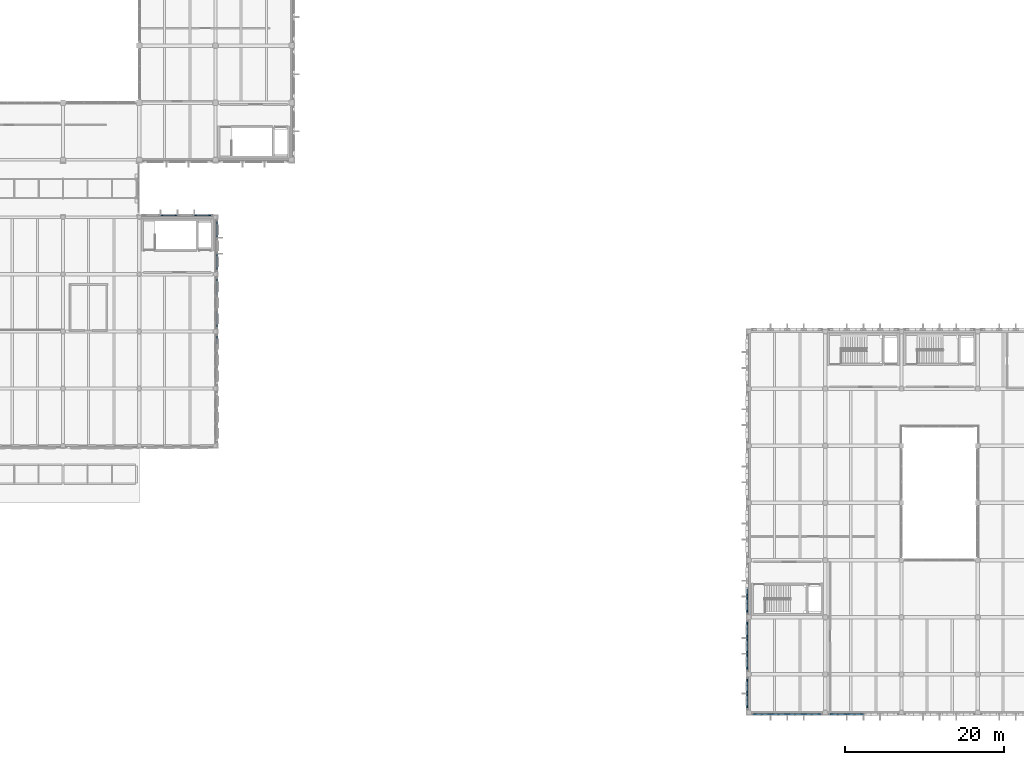
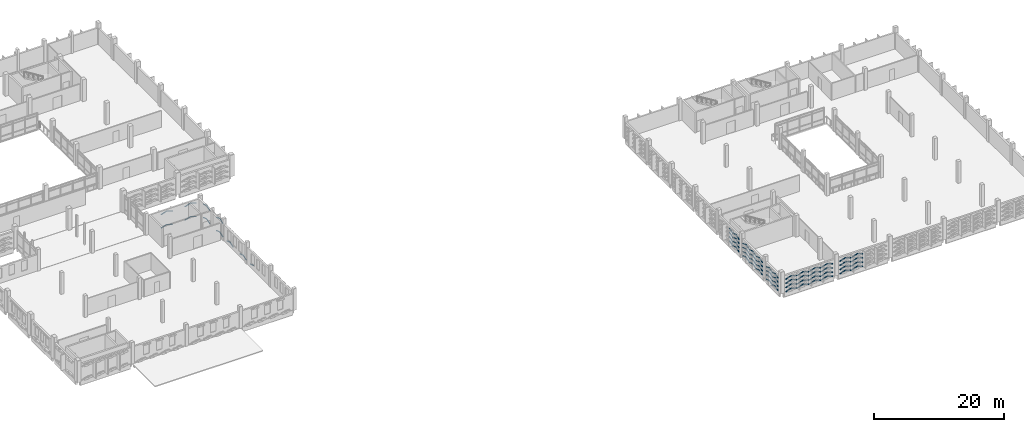
# One storey, part 35 of 72: 121 plates.
"""IFC4 building model written with IfcOpenShell, lengths in metres."""

from ifc_helpers import new_model, si_unit, direction, frame, origin, origin_2d, place, context, subcontext, project, spatial, hollow_rectangle, extrude, material, material_profile, profile_set, type_object, element, save


model = new_model("IFC4")

# Units and contexts
model_context = context("Model", 3, precision=1e-05, world=origin(), true_north=direction((0.0, 1.0)))
body_context = subcontext(model_context, "Body", "Model", "MODEL_VIEW")
ifc_project = project(units=[si_unit("LENGTHUNIT", "METRE"), si_unit("AREAUNIT", "SQUARE_METRE"), si_unit("VOLUMEUNIT", "CUBIC_METRE"), si_unit("PLANEANGLEUNIT", "RADIAN"), si_unit("MASSUNIT", "GRAM", prefix="KILO")], contexts=[model_context])

# Site, building, storey
site_placement = place(None, origin())
site = spatial("IfcSite", under=ifc_project, at=site_placement, CompositionType="ELEMENT")
building_placement = place(site_placement, origin())
building = spatial("IfcBuilding", under=site, at=building_placement, Name="Asteropetra Specialist Clinic", CompositionType="ELEMENT")
storey_placement = place(building_placement, frame((0.0, 0.0, 12.580078125)))
storey = spatial("IfcBuildingStorey", under=building, at=storey_placement, Name="L03", CompositionType="ELEMENT", Elevation=12.580078125)

# Plates
ifc_material_1 = material(Name="Chevron emerald aluminium 6063-T6", Category="aluminium")
ifc_material_profile_1 = material_profile(ifc_material_1, hollow_rectangle(XDim=0.139892578125, YDim=0.139892578125, WallThickness=0.008056640625, InnerFilletRadius=0.008056640625, OuterFilletRadius=0.01611328125, at=origin_2d()), Name="SHS 140x140x8.0")
ifc_profile_set_1 = profile_set([ifc_material_profile_1], Name="Chevron emerald aluminium 6063-T6")
plate_type_1 = type_object("IfcPlateType", Name="CHV-RIB-140", PredefinedType="SHEET", material=ifc_profile_set_1)
plate_1_placement = place(storey_placement, frame((37.81005859375, 62.6044921875, 0.079833984375), z_axis=(-0.952033222609, 0.0, 0.305994678137), x_axis=(0.0, -1.0, 0.0)))
element("IfcPlate", 1, at=plate_1_placement, inside=storey, type_object=plate_type_1, Name="Chevron Facade Screen Fin CVR-1938", PredefinedType="SHEET", context=body_context, shape_type="SweptSolid", body=[
    extrude(hollow_rectangle(XDim=0.139892578125, YDim=0.139892578125, WallThickness=0.008056640625, InnerFilletRadius=0.008056640625, OuterFilletRadius=0.01611328125, at=origin_2d()), origin(), (0.0, 0.0, 1.0), 1.08984375),
])
plate_2_placement = place(storey_placement, frame((36.7724609375, 62.6044921875, 0.413330078125), z_axis=(-0.952012241431, 0.0, -0.306059948646), x_axis=(0.0, -1.0, 0.0)))
element("IfcPlate", 2, at=plate_2_placement, inside=storey, type_object=plate_type_1, Name="Chevron Facade Screen Fin CVR-1939", PredefinedType="SHEET", context=body_context, shape_type="SweptSolid", body=[
    extrude(hollow_rectangle(XDim=0.139892578125, YDim=0.139892578125, WallThickness=0.008056640625, InnerFilletRadius=0.008056640625, OuterFilletRadius=0.01611328125, at=origin_2d()), origin(), (0.0, 0.0, 1.0), 1.089599609375),
])
plate_3_placement = place(storey_placement, frame((37.81005859375, 62.6044921875, 2.599853515625), z_axis=(-0.952033222609, 0.0, 0.305994678137), x_axis=(0.0, -1.0, 0.0)))
element("IfcPlate", 3, at=plate_3_placement, inside=storey, type_object=plate_type_1, Name="Chevron Facade Screen Fin CVR-1940", PredefinedType="SHEET", context=body_context, shape_type="SweptSolid", body=[
    extrude(hollow_rectangle(XDim=0.139892578125, YDim=0.139892578125, WallThickness=0.008056640625, InnerFilletRadius=0.008056640625, OuterFilletRadius=0.01611328125, at=origin_2d()), origin(), (0.0, 0.0, 1.0), 1.08984375),
])
plate_4_placement = place(storey_placement, frame((36.7724609375, 62.6044921875, 2.933349609375), z_axis=(-0.952012241431, 0.0, -0.306059948646), x_axis=(0.0, -1.0, 0.0)))
element("IfcPlate", 4, at=plate_4_placement, inside=storey, type_object=plate_type_1, Name="Chevron Facade Screen Fin CVR-1941", PredefinedType="SHEET", context=body_context, shape_type="SweptSolid", body=[
    extrude(hollow_rectangle(XDim=0.139892578125, YDim=0.139892578125, WallThickness=0.008056640625, InnerFilletRadius=0.008056640625, OuterFilletRadius=0.01611328125, at=origin_2d()), origin(), (0.0, 0.0, 1.0), 1.089599609375),
])
for number, where, z_axis, x_axis, name in (
    (5, (33.580078125, 62.6044921875, 0.079833984375), (-0.952033222609, 0.0, 0.305994678137), (0.0, -1.0, 0.0), "Chevron Facade Screen Fin CVR-1942"),
    (6, (32.54248046875, 62.6044921875, 0.413330078125), (-0.952033222609, 0.0, -0.305994678137), (0.0, -1.0, 0.0), "Chevron Facade Screen Fin CVR-1943"),
    (7, (33.580078125, 62.6044921875, 2.599853515625), (-0.952033222609, 0.0, 0.305994678137), (0.0, -1.0, 0.0), "Chevron Facade Screen Fin CVR-1944"),
    (8, (32.54248046875, 62.6044921875, 2.933349609375), (-0.952033222609, 0.0, -0.305994678137), (0.0, -1.0, 0.0), "Chevron Facade Screen Fin CVR-1945"),
):
    element("IfcPlate", number, at=place(storey_placement, frame(where, z_axis=z_axis, x_axis=x_axis)), inside=storey, type_object=plate_type_1, Name=name, PredefinedType="SHEET", context=body_context, shape_type="SweptSolid", body=[
        extrude(hollow_rectangle(XDim=0.139892578125, YDim=0.139892578125, WallThickness=0.008056640625, InnerFilletRadius=0.008056640625, OuterFilletRadius=0.01611328125, at=origin_2d()), origin(), (0.0, 0.0, 1.0), 1.08984375),
    ])
for number, where, z_axis, x_axis, name in (
    (9, (38.6044921875, 46.419921875, 0.3984375), (0.0, 0.951918587177, -0.306351111286), (-1.0, 0.0, 0.0), "Chevron Facade Screen Fin CVR-1959"),
    (10, (38.6044921875, 48.590087890625, 0.079833984375), (0.0, 0.951918587177, 0.306351111286), (-1.0, 0.0, 0.0), "Chevron Facade Screen Fin CVR-1962"),
    (11, (38.6044921875, 49.580078125, 0.3984375), (0.0, 0.951918587177, -0.306351111286), (-1.0, 0.0, 0.0), "Chevron Facade Screen Fin CVR-1963"),
):
    element("IfcPlate", number, at=place(storey_placement, frame(where, z_axis=z_axis, x_axis=x_axis)), inside=storey, type_object=plate_type_1, Name=name, PredefinedType="SHEET", context=body_context, shape_type="SweptSolid", body=[
        extrude(hollow_rectangle(XDim=0.139892578125, YDim=0.139892578125, WallThickness=0.008056640625, InnerFilletRadius=0.008056640625, OuterFilletRadius=0.01611328125, at=origin_2d()), origin(), (0.0, 0.0, 1.0), 1.0400390625),
    ])
plate_5_placement = place(storey_placement, frame((38.6044921875, 52.6298828125, 0.079833984375), z_axis=(0.0, 0.951940611487, 0.306282667158), x_axis=(-1.0, 0.0, 0.0)))
element("IfcPlate", 12, at=plate_5_placement, inside=storey, type_object=plate_type_1, Name="Chevron Facade Screen Fin CVR-1964", PredefinedType="SHEET", context=body_context, shape_type="SweptSolid", body=[
    extrude(hollow_rectangle(XDim=0.139892578125, YDim=0.139892578125, WallThickness=0.008056640625, InnerFilletRadius=0.008056640625, OuterFilletRadius=0.01611328125, at=origin_2d()), origin(), (0.0, 0.0, 1.0), 1.040283203125),
])
for number, where, z_axis, x_axis, name in (
    (13, (38.6044921875, 53.6201171875, 0.3984375), (0.0, 0.951918587177, -0.306351111286), (-1.0, 0.0, 0.0), "Chevron Facade Screen Fin CVR-1965"),
    (14, (38.6044921875, 55.7900390625, 0.079833984375), (0.0, 0.951918587177, 0.306351111286), (-1.0, 0.0, 0.0), "Chevron Facade Screen Fin CVR-1968"),
    (15, (38.6044921875, 56.780029296875, 0.3984375), (0.0, 0.951918587177, -0.306351111286), (-1.0, 0.0, 0.0), "Chevron Facade Screen Fin CVR-1969"),
    (16, (38.6044921875, 55.7900390625, 2.599853515625), (0.0, 0.951918587177, 0.306351111286), (-1.0, 0.0, 0.0), "Chevron Facade Screen Fin CVR-1970"),
    (17, (38.6044921875, 56.780029296875, 2.91845703125), (0.0, 0.951918587177, -0.306351111286), (-1.0, 0.0, 0.0), "Chevron Facade Screen Fin CVR-1971"),
    (18, (38.6044921875, 59.830078125, 0.079833984375), (0.0, 0.951918587177, 0.306351111286), (-1.0, 0.0, 0.0), "Chevron Facade Screen Fin CVR-1972"),
    (19, (38.6044921875, 60.820068359375, 0.3984375), (0.0, 0.951918587177, -0.306351111286), (-1.0, 0.0, 0.0), "Chevron Facade Screen Fin CVR-1973"),
    (20, (38.6044921875, 59.830078125, 2.599853515625), (0.0, 0.951918587177, 0.306351111286), (-1.0, 0.0, 0.0), "Chevron Facade Screen Fin CVR-1974"),
    (21, (38.6044921875, 60.820068359375, 2.91845703125), (0.0, 0.951918587177, -0.306351111286), (-1.0, 0.0, 0.0), "Chevron Facade Screen Fin CVR-1975"),
):
    element("IfcPlate", number, at=place(storey_placement, frame(where, z_axis=z_axis, x_axis=x_axis)), inside=storey, type_object=plate_type_1, Name=name, PredefinedType="SHEET", context=body_context, shape_type="SweptSolid", body=[
        extrude(hollow_rectangle(XDim=0.139892578125, YDim=0.139892578125, WallThickness=0.008056640625, InnerFilletRadius=0.008056640625, OuterFilletRadius=0.01611328125, at=origin_2d()), origin(), (0.0, 0.0, 1.0), 1.0400390625),
    ])
ifc_material_2 = material(Name="Chevron emerald aluminium 6063-T6", Category="aluminium")
ifc_material_profile_2 = material_profile(ifc_material_2, hollow_rectangle(XDim=0.159912109375, YDim=0.159912109375, WallThickness=0.008056640625, InnerFilletRadius=0.008056640625, OuterFilletRadius=0.01611328125, at=origin_2d()), Name="SHS 160x160x8.0")
ifc_profile_set_2 = profile_set([ifc_material_profile_2], Name="Chevron emerald aluminium 6063-T6")
plate_type_2 = type_object("IfcPlateType", Name="CHV-RIB-160", PredefinedType="SHEET", material=ifc_profile_set_2)
for number, where, z_axis, x_axis, name in (
    (22, (106.215087890625, -0.219482421875, 0.0498046875), (0.95200979945, 0.0, 0.306067544426), (0.0, 1.0, 0.0), "Chevron Facade Screen Fin CVR-2894"),
    (23, (107.246337890625, -0.219482421875, 0.38134765625), (0.95200979945, 0.0, -0.306067544426), (0.0, 1.0, 0.0), "Chevron Facade Screen Fin CVR-2895"),
    (24, (106.215087890625, -0.219482421875, 0.81982421875), (0.95200979945, 0.0, 0.306067544426), (0.0, 1.0, 0.0), "Chevron Facade Screen Fin CVR-2896"),
    (25, (107.246337890625, -0.219482421875, 1.1513671875), (0.95200979945, 0.0, -0.306067544426), (0.0, 1.0, 0.0), "Chevron Facade Screen Fin CVR-2897"),
    (26, (106.215087890625, -0.219482421875, 1.619873046875), (0.95200979945, 0.0, 0.306067544426), (0.0, 1.0, 0.0), "Chevron Facade Screen Fin CVR-2898"),
    (27, (107.246337890625, -0.219482421875, 1.951416015625), (0.95200979945, 0.0, -0.306067544426), (0.0, 1.0, 0.0), "Chevron Facade Screen Fin CVR-2899"),
    (28, (106.215087890625, -0.219482421875, 2.39990234375), (0.95200979945, 0.0, 0.306067544426), (0.0, 1.0, 0.0), "Chevron Facade Screen Fin CVR-2900"),
    (29, (107.246337890625, -0.219482421875, 2.7314453125), (0.95200979945, 0.0, -0.306067544426), (0.0, 1.0, 0.0), "Chevron Facade Screen Fin CVR-2901"),
    (30, (108.3173828125, -0.219482421875, 0.0498046875), (0.95200979945, 0.0, 0.306067544426), (0.0, 1.0, 0.0), "Chevron Facade Screen Fin CVR-2902"),
    (31, (109.3486328125, -0.219482421875, 0.38134765625), (0.95200979945, 0.0, -0.306067544426), (0.0, 1.0, 0.0), "Chevron Facade Screen Fin CVR-2903"),
    (32, (108.3173828125, -0.219482421875, 0.81982421875), (0.95200979945, 0.0, 0.306067544426), (0.0, 1.0, 0.0), "Chevron Facade Screen Fin CVR-2904"),
    (33, (109.3486328125, -0.219482421875, 1.1513671875), (0.95200979945, 0.0, -0.306067544426), (0.0, 1.0, 0.0), "Chevron Facade Screen Fin CVR-2905"),
    (34, (108.3173828125, -0.219482421875, 1.619873046875), (0.95200979945, 0.0, 0.306067544426), (0.0, 1.0, 0.0), "Chevron Facade Screen Fin CVR-2906"),
    (35, (109.3486328125, -0.219482421875, 1.951416015625), (0.95200979945, 0.0, -0.306067544426), (0.0, 1.0, 0.0), "Chevron Facade Screen Fin CVR-2907"),
    (36, (108.3173828125, -0.219482421875, 2.39990234375), (0.95200979945, 0.0, 0.306067544426), (0.0, 1.0, 0.0), "Chevron Facade Screen Fin CVR-2908"),
    (37, (109.3486328125, -0.219482421875, 2.7314453125), (0.95200979945, 0.0, -0.306067544426), (0.0, 1.0, 0.0), "Chevron Facade Screen Fin CVR-2909"),
):
    element("IfcPlate", number, at=place(storey_placement, frame(where, z_axis=z_axis, x_axis=x_axis)), inside=storey, type_object=plate_type_2, Name=name, PredefinedType="SHEET", context=body_context, shape_type="SweptSolid", body=[
        extrude(hollow_rectangle(XDim=0.159912109375, YDim=0.159912109375, WallThickness=0.008056640625, InnerFilletRadius=0.008056640625, OuterFilletRadius=0.01611328125, at=origin_2d()), origin(), (0.0, 0.0, 1.0), 1.083251953125),
    ])
plate_6_placement = place(storey_placement, frame((110.419921875, -0.219482421875, 0.0498046875), z_axis=(0.95203090576, 0.0, 0.306001886396), x_axis=(0.0, 1.0, 0.0)))
element("IfcPlate", 38, at=plate_6_placement, inside=storey, type_object=plate_type_2, Name="Chevron Facade Screen Fin CVR-2910", PredefinedType="SHEET", context=body_context, shape_type="SweptSolid", body=[
    extrude(hollow_rectangle(XDim=0.159912109375, YDim=0.159912109375, WallThickness=0.008056640625, InnerFilletRadius=0.008056640625, OuterFilletRadius=0.01611328125, at=origin_2d()), origin(), (0.0, 0.0, 1.0), 1.08349609375),
])
plate_7_placement = place(storey_placement, frame((111.451416015625, -0.219482421875, 0.38134765625), z_axis=(0.95198867955, 0.0, -0.30613322918), x_axis=(0.0, 1.0, 0.0)))
element("IfcPlate", 39, at=plate_7_placement, inside=storey, type_object=plate_type_2, Name="Chevron Facade Screen Fin CVR-2911", PredefinedType="SHEET", context=body_context, shape_type="SweptSolid", body=[
    extrude(hollow_rectangle(XDim=0.159912109375, YDim=0.159912109375, WallThickness=0.008056640625, InnerFilletRadius=0.008056640625, OuterFilletRadius=0.01611328125, at=origin_2d()), origin(), (0.0, 0.0, 1.0), 1.0830078125),
])
plate_8_placement = place(storey_placement, frame((110.419921875, -0.219482421875, 0.81982421875), z_axis=(0.95203090576, 0.0, 0.306001886396), x_axis=(0.0, 1.0, 0.0)))
element("IfcPlate", 40, at=plate_8_placement, inside=storey, type_object=plate_type_2, Name="Chevron Facade Screen Fin CVR-2912", PredefinedType="SHEET", context=body_context, shape_type="SweptSolid", body=[
    extrude(hollow_rectangle(XDim=0.159912109375, YDim=0.159912109375, WallThickness=0.008056640625, InnerFilletRadius=0.008056640625, OuterFilletRadius=0.01611328125, at=origin_2d()), origin(), (0.0, 0.0, 1.0), 1.08349609375),
])
plate_9_placement = place(storey_placement, frame((111.451416015625, -0.219482421875, 1.1513671875), z_axis=(0.95198867955, 0.0, -0.30613322918), x_axis=(0.0, 1.0, 0.0)))
element("IfcPlate", 41, at=plate_9_placement, inside=storey, type_object=plate_type_2, Name="Chevron Facade Screen Fin CVR-2913", PredefinedType="SHEET", context=body_context, shape_type="SweptSolid", body=[
    extrude(hollow_rectangle(XDim=0.159912109375, YDim=0.159912109375, WallThickness=0.008056640625, InnerFilletRadius=0.008056640625, OuterFilletRadius=0.01611328125, at=origin_2d()), origin(), (0.0, 0.0, 1.0), 1.0830078125),
])
plate_10_placement = place(storey_placement, frame((110.419921875, -0.219482421875, 1.619873046875), z_axis=(0.95203090576, 0.0, 0.306001886396), x_axis=(0.0, 1.0, 0.0)))
element("IfcPlate", 42, at=plate_10_placement, inside=storey, type_object=plate_type_2, Name="Chevron Facade Screen Fin CVR-2914", PredefinedType="SHEET", context=body_context, shape_type="SweptSolid", body=[
    extrude(hollow_rectangle(XDim=0.159912109375, YDim=0.159912109375, WallThickness=0.008056640625, InnerFilletRadius=0.008056640625, OuterFilletRadius=0.01611328125, at=origin_2d()), origin(), (0.0, 0.0, 1.0), 1.08349609375),
])
plate_11_placement = place(storey_placement, frame((111.451416015625, -0.219482421875, 1.951416015625), z_axis=(0.95198867955, 0.0, -0.30613322918), x_axis=(0.0, 1.0, 0.0)))
element("IfcPlate", 43, at=plate_11_placement, inside=storey, type_object=plate_type_2, Name="Chevron Facade Screen Fin CVR-2915", PredefinedType="SHEET", context=body_context, shape_type="SweptSolid", body=[
    extrude(hollow_rectangle(XDim=0.159912109375, YDim=0.159912109375, WallThickness=0.008056640625, InnerFilletRadius=0.008056640625, OuterFilletRadius=0.01611328125, at=origin_2d()), origin(), (0.0, 0.0, 1.0), 1.0830078125),
])
plate_12_placement = place(storey_placement, frame((110.419921875, -0.219482421875, 2.39990234375), z_axis=(0.95203090576, 0.0, 0.306001886396), x_axis=(0.0, 1.0, 0.0)))
element("IfcPlate", 44, at=plate_12_placement, inside=storey, type_object=plate_type_2, Name="Chevron Facade Screen Fin CVR-2916", PredefinedType="SHEET", context=body_context, shape_type="SweptSolid", body=[
    extrude(hollow_rectangle(XDim=0.159912109375, YDim=0.159912109375, WallThickness=0.008056640625, InnerFilletRadius=0.008056640625, OuterFilletRadius=0.01611328125, at=origin_2d()), origin(), (0.0, 0.0, 1.0), 1.08349609375),
])
plate_13_placement = place(storey_placement, frame((111.451416015625, -0.219482421875, 2.7314453125), z_axis=(0.95198867955, 0.0, -0.30613322918), x_axis=(0.0, 1.0, 0.0)))
element("IfcPlate", 45, at=plate_13_placement, inside=storey, type_object=plate_type_2, Name="Chevron Facade Screen Fin CVR-2917", PredefinedType="SHEET", context=body_context, shape_type="SweptSolid", body=[
    extrude(hollow_rectangle(XDim=0.159912109375, YDim=0.159912109375, WallThickness=0.008056640625, InnerFilletRadius=0.008056640625, OuterFilletRadius=0.01611328125, at=origin_2d()), origin(), (0.0, 0.0, 1.0), 1.0830078125),
])
for number, where, z_axis, x_axis, name in (
    (46, (112.5224609375, -0.219482421875, 0.0498046875), (0.95200979945, 0.0, 0.306067544426), (0.0, 1.0, 0.0), "Chevron Facade Screen Fin CVR-2918"),
    (47, (113.5537109375, -0.219482421875, 0.38134765625), (0.95200979945, 0.0, -0.306067544426), (0.0, 1.0, 0.0), "Chevron Facade Screen Fin CVR-2919"),
    (48, (112.5224609375, -0.219482421875, 0.81982421875), (0.95200979945, 0.0, 0.306067544426), (0.0, 1.0, 0.0), "Chevron Facade Screen Fin CVR-2920"),
    (49, (113.5537109375, -0.219482421875, 1.1513671875), (0.95200979945, 0.0, -0.306067544426), (0.0, 1.0, 0.0), "Chevron Facade Screen Fin CVR-2921"),
    (50, (112.5224609375, -0.219482421875, 1.619873046875), (0.95200979945, 0.0, 0.306067544426), (0.0, 1.0, 0.0), "Chevron Facade Screen Fin CVR-2922"),
    (51, (113.5537109375, -0.219482421875, 1.951416015625), (0.95200979945, 0.0, -0.306067544426), (0.0, 1.0, 0.0), "Chevron Facade Screen Fin CVR-2923"),
    (52, (112.5224609375, -0.219482421875, 2.39990234375), (0.95200979945, 0.0, 0.306067544426), (0.0, 1.0, 0.0), "Chevron Facade Screen Fin CVR-2924"),
    (53, (113.5537109375, -0.219482421875, 2.7314453125), (0.95200979945, 0.0, -0.306067544426), (0.0, 1.0, 0.0), "Chevron Facade Screen Fin CVR-2925"),
    (54, (115.81494140625, -0.219482421875, 0.0498046875), (0.95200979945, 0.0, 0.306067544426), (0.0, 1.0, 0.0), "Chevron Facade Screen Fin CVR-2958"),
    (55, (116.84619140625, -0.219482421875, 0.38134765625), (0.95200979945, 0.0, -0.306067544426), (0.0, 1.0, 0.0), "Chevron Facade Screen Fin CVR-2959"),
    (56, (115.81494140625, -0.219482421875, 0.81982421875), (0.95200979945, 0.0, 0.306067544426), (0.0, 1.0, 0.0), "Chevron Facade Screen Fin CVR-2960"),
    (57, (116.84619140625, -0.219482421875, 1.1513671875), (0.95200979945, 0.0, -0.306067544426), (0.0, 1.0, 0.0), "Chevron Facade Screen Fin CVR-2961"),
    (58, (115.81494140625, -0.219482421875, 1.619873046875), (0.95200979945, 0.0, 0.306067544426), (0.0, 1.0, 0.0), "Chevron Facade Screen Fin CVR-2962"),
    (59, (116.84619140625, -0.219482421875, 1.951416015625), (0.95200979945, 0.0, -0.306067544426), (0.0, 1.0, 0.0), "Chevron Facade Screen Fin CVR-2963"),
    (60, (115.81494140625, -0.219482421875, 2.39990234375), (0.95200979945, 0.0, 0.306067544426), (0.0, 1.0, 0.0), "Chevron Facade Screen Fin CVR-2964"),
    (61, (116.84619140625, -0.219482421875, 2.7314453125), (0.95200979945, 0.0, -0.306067544426), (0.0, 1.0, 0.0), "Chevron Facade Screen Fin CVR-2965"),
    (62, (117.91748046875, -0.219482421875, 0.0498046875), (0.95200979945, 0.0, 0.306067544426), (0.0, 1.0, 0.0), "Chevron Facade Screen Fin CVR-2966"),
    (63, (118.94873046875, -0.219482421875, 0.38134765625), (0.95200979945, 0.0, -0.306067544426), (0.0, 1.0, 0.0), "Chevron Facade Screen Fin CVR-2967"),
    (64, (117.91748046875, -0.219482421875, 0.81982421875), (0.95200979945, 0.0, 0.306067544426), (0.0, 1.0, 0.0), "Chevron Facade Screen Fin CVR-2968"),
    (65, (118.94873046875, -0.219482421875, 1.1513671875), (0.95200979945, 0.0, -0.306067544426), (0.0, 1.0, 0.0), "Chevron Facade Screen Fin CVR-2969"),
    (66, (117.91748046875, -0.219482421875, 1.619873046875), (0.95200979945, 0.0, 0.306067544426), (0.0, 1.0, 0.0), "Chevron Facade Screen Fin CVR-2970"),
    (67, (118.94873046875, -0.219482421875, 1.951416015625), (0.95200979945, 0.0, -0.306067544426), (0.0, 1.0, 0.0), "Chevron Facade Screen Fin CVR-2971"),
    (68, (117.91748046875, -0.219482421875, 2.39990234375), (0.95200979945, 0.0, 0.306067544426), (0.0, 1.0, 0.0), "Chevron Facade Screen Fin CVR-2972"),
    (69, (118.94873046875, -0.219482421875, 2.7314453125), (0.95200979945, 0.0, -0.306067544426), (0.0, 1.0, 0.0), "Chevron Facade Screen Fin CVR-2973"),
):
    element("IfcPlate", number, at=place(storey_placement, frame(where, z_axis=z_axis, x_axis=x_axis)), inside=storey, type_object=plate_type_2, Name=name, PredefinedType="SHEET", context=body_context, shape_type="SweptSolid", body=[
        extrude(hollow_rectangle(XDim=0.159912109375, YDim=0.159912109375, WallThickness=0.008056640625, InnerFilletRadius=0.008056640625, OuterFilletRadius=0.01611328125, at=origin_2d()), origin(), (0.0, 0.0, 1.0), 1.083251953125),
    ])
for number, where, z_axis, x_axis, name in (
    (70, (105.380615234375, 4.18505859375, 0.0498046875), (0.0, -0.95171854259, 0.306972011248), (1.0, 0.0, 0.0), "Chevron Facade Screen Fin CVR-3214"),
    (71, (105.380615234375, 3.302490234375, 0.33447265625), (0.0, -0.95171854259, -0.306972011248), (1.0, 0.0, 0.0), "Chevron Facade Screen Fin CVR-3215"),
    (72, (105.380615234375, 4.18505859375, 0.81982421875), (0.0, -0.95171854259, 0.306972011248), (1.0, 0.0, 0.0), "Chevron Facade Screen Fin CVR-3216"),
    (73, (105.380615234375, 3.302490234375, 1.1044921875), (0.0, -0.95171854259, -0.306972011248), (1.0, 0.0, 0.0), "Chevron Facade Screen Fin CVR-3217"),
    (74, (105.380615234375, 4.18505859375, 1.619873046875), (0.0, -0.95171854259, 0.306972011248), (1.0, 0.0, 0.0), "Chevron Facade Screen Fin CVR-3218"),
    (75, (105.380615234375, 3.302490234375, 1.904541015625), (0.0, -0.95171854259, -0.306972011248), (1.0, 0.0, 0.0), "Chevron Facade Screen Fin CVR-3219"),
    (76, (105.380615234375, 4.18505859375, 2.39990234375), (0.0, -0.95171854259, 0.306972011248), (1.0, 0.0, 0.0), "Chevron Facade Screen Fin CVR-3220"),
    (77, (105.380615234375, 3.302490234375, 2.6845703125), (0.0, -0.95171854259, -0.306972011248), (1.0, 0.0, 0.0), "Chevron Facade Screen Fin CVR-3221"),
):
    element("IfcPlate", number, at=place(storey_placement, frame(where, z_axis=z_axis, x_axis=x_axis)), inside=storey, type_object=plate_type_2, Name=name, PredefinedType="SHEET", context=body_context, shape_type="SweptSolid", body=[
        extrude(hollow_rectangle(XDim=0.159912109375, YDim=0.159912109375, WallThickness=0.008056640625, InnerFilletRadius=0.008056640625, OuterFilletRadius=0.01611328125, at=origin_2d()), origin(), (0.0, 0.0, 1.0), 0.92724609375),
    ])
plate_14_placement = place(storey_placement, frame((105.380615234375, 2.3798828125, 0.0498046875), z_axis=(0.0, -0.951693724919, 0.3070489439), x_axis=(1.0, 0.0, 0.0)))
element("IfcPlate", 78, at=plate_14_placement, inside=storey, type_object=plate_type_2, Name="Chevron Facade Screen Fin CVR-3222", PredefinedType="SHEET", context=body_context, shape_type="SweptSolid", body=[
    extrude(hollow_rectangle(XDim=0.159912109375, YDim=0.159912109375, WallThickness=0.008056640625, InnerFilletRadius=0.008056640625, OuterFilletRadius=0.01611328125, at=origin_2d()), origin(), (0.0, 0.0, 1.0), 0.927001953125),
])
plate_15_placement = place(storey_placement, frame((105.380615234375, 1.49755859375, 0.33447265625), z_axis=(0.0, -0.95171854259, -0.306972011248), x_axis=(1.0, 0.0, 0.0)))
element("IfcPlate", 79, at=plate_15_placement, inside=storey, type_object=plate_type_2, Name="Chevron Facade Screen Fin CVR-3223", PredefinedType="SHEET", context=body_context, shape_type="SweptSolid", body=[
    extrude(hollow_rectangle(XDim=0.159912109375, YDim=0.159912109375, WallThickness=0.008056640625, InnerFilletRadius=0.008056640625, OuterFilletRadius=0.01611328125, at=origin_2d()), origin(), (0.0, 0.0, 1.0), 0.92724609375),
])
plate_16_placement = place(storey_placement, frame((105.380615234375, 2.3798828125, 0.81982421875), z_axis=(0.0, -0.951693724919, 0.3070489439), x_axis=(1.0, 0.0, 0.0)))
element("IfcPlate", 80, at=plate_16_placement, inside=storey, type_object=plate_type_2, Name="Chevron Facade Screen Fin CVR-3224", PredefinedType="SHEET", context=body_context, shape_type="SweptSolid", body=[
    extrude(hollow_rectangle(XDim=0.159912109375, YDim=0.159912109375, WallThickness=0.008056640625, InnerFilletRadius=0.008056640625, OuterFilletRadius=0.01611328125, at=origin_2d()), origin(), (0.0, 0.0, 1.0), 0.927001953125),
])
plate_17_placement = place(storey_placement, frame((105.380615234375, 1.49755859375, 1.1044921875), z_axis=(0.0, -0.95171854259, -0.306972011248), x_axis=(1.0, 0.0, 0.0)))
element("IfcPlate", 81, at=plate_17_placement, inside=storey, type_object=plate_type_2, Name="Chevron Facade Screen Fin CVR-3225", PredefinedType="SHEET", context=body_context, shape_type="SweptSolid", body=[
    extrude(hollow_rectangle(XDim=0.159912109375, YDim=0.159912109375, WallThickness=0.008056640625, InnerFilletRadius=0.008056640625, OuterFilletRadius=0.01611328125, at=origin_2d()), origin(), (0.0, 0.0, 1.0), 0.92724609375),
])
plate_18_placement = place(storey_placement, frame((105.380615234375, 2.3798828125, 1.619873046875), z_axis=(0.0, -0.951693724919, 0.3070489439), x_axis=(1.0, 0.0, 0.0)))
element("IfcPlate", 82, at=plate_18_placement, inside=storey, type_object=plate_type_2, Name="Chevron Facade Screen Fin CVR-3226", PredefinedType="SHEET", context=body_context, shape_type="SweptSolid", body=[
    extrude(hollow_rectangle(XDim=0.159912109375, YDim=0.159912109375, WallThickness=0.008056640625, InnerFilletRadius=0.008056640625, OuterFilletRadius=0.01611328125, at=origin_2d()), origin(), (0.0, 0.0, 1.0), 0.927001953125),
])
plate_19_placement = place(storey_placement, frame((105.380615234375, 1.49755859375, 1.904541015625), z_axis=(0.0, -0.95171854259, -0.306972011248), x_axis=(1.0, 0.0, 0.0)))
element("IfcPlate", 83, at=plate_19_placement, inside=storey, type_object=plate_type_2, Name="Chevron Facade Screen Fin CVR-3227", PredefinedType="SHEET", context=body_context, shape_type="SweptSolid", body=[
    extrude(hollow_rectangle(XDim=0.159912109375, YDim=0.159912109375, WallThickness=0.008056640625, InnerFilletRadius=0.008056640625, OuterFilletRadius=0.01611328125, at=origin_2d()), origin(), (0.0, 0.0, 1.0), 0.92724609375),
])
plate_20_placement = place(storey_placement, frame((105.380615234375, 2.3798828125, 2.39990234375), z_axis=(0.0, -0.951693724919, 0.3070489439), x_axis=(1.0, 0.0, 0.0)))
element("IfcPlate", 84, at=plate_20_placement, inside=storey, type_object=plate_type_2, Name="Chevron Facade Screen Fin CVR-3228", PredefinedType="SHEET", context=body_context, shape_type="SweptSolid", body=[
    extrude(hollow_rectangle(XDim=0.159912109375, YDim=0.159912109375, WallThickness=0.008056640625, InnerFilletRadius=0.008056640625, OuterFilletRadius=0.01611328125, at=origin_2d()), origin(), (0.0, 0.0, 1.0), 0.927001953125),
])
plate_21_placement = place(storey_placement, frame((105.380615234375, 1.49755859375, 2.6845703125), z_axis=(0.0, -0.95171854259, -0.306972011248), x_axis=(1.0, 0.0, 0.0)))
element("IfcPlate", 85, at=plate_21_placement, inside=storey, type_object=plate_type_2, Name="Chevron Facade Screen Fin CVR-3229", PredefinedType="SHEET", context=body_context, shape_type="SweptSolid", body=[
    extrude(hollow_rectangle(XDim=0.159912109375, YDim=0.159912109375, WallThickness=0.008056640625, InnerFilletRadius=0.008056640625, OuterFilletRadius=0.01611328125, at=origin_2d()), origin(), (0.0, 0.0, 1.0), 0.92724609375),
])
for number, where, z_axis, x_axis, name in (
    (86, (105.380615234375, 11.385009765625, 0.0498046875), (0.0, -0.951922588053, 0.306338679169), (1.0, 0.0, 0.0), "Chevron Facade Screen Fin CVR-3246"),
    (87, (105.380615234375, 10.4033203125, 0.36572265625), (0.0, -0.951922588053, -0.306338679169), (1.0, 0.0, 0.0), "Chevron Facade Screen Fin CVR-3247"),
    (88, (105.380615234375, 11.385009765625, 0.81982421875), (0.0, -0.951922588053, 0.306338679169), (1.0, 0.0, 0.0), "Chevron Facade Screen Fin CVR-3248"),
    (89, (105.380615234375, 10.4033203125, 1.1357421875), (0.0, -0.951922588053, -0.306338679169), (1.0, 0.0, 0.0), "Chevron Facade Screen Fin CVR-3249"),
    (90, (105.380615234375, 11.385009765625, 1.619873046875), (0.0, -0.951922588053, 0.306338679169), (1.0, 0.0, 0.0), "Chevron Facade Screen Fin CVR-3250"),
    (91, (105.380615234375, 10.4033203125, 1.935791015625), (0.0, -0.951922588053, -0.306338679169), (1.0, 0.0, 0.0), "Chevron Facade Screen Fin CVR-3251"),
    (92, (105.380615234375, 11.385009765625, 2.39990234375), (0.0, -0.951922588053, 0.306338679169), (1.0, 0.0, 0.0), "Chevron Facade Screen Fin CVR-3252"),
    (93, (105.380615234375, 10.4033203125, 2.7158203125), (0.0, -0.951922588053, -0.306338679169), (1.0, 0.0, 0.0), "Chevron Facade Screen Fin CVR-3253"),
    (94, (105.380615234375, 9.381591796875, 0.0498046875), (0.0, -0.951922588053, 0.306338679169), (1.0, 0.0, 0.0), "Chevron Facade Screen Fin CVR-3254"),
    (95, (105.380615234375, 8.39990234375, 0.36572265625), (0.0, -0.951922588053, -0.306338679169), (1.0, 0.0, 0.0), "Chevron Facade Screen Fin CVR-3255"),
    (96, (105.380615234375, 9.381591796875, 0.81982421875), (0.0, -0.951922588053, 0.306338679169), (1.0, 0.0, 0.0), "Chevron Facade Screen Fin CVR-3256"),
    (97, (105.380615234375, 8.39990234375, 1.1357421875), (0.0, -0.951922588053, -0.306338679169), (1.0, 0.0, 0.0), "Chevron Facade Screen Fin CVR-3257"),
    (98, (105.380615234375, 9.381591796875, 1.619873046875), (0.0, -0.951922588053, 0.306338679169), (1.0, 0.0, 0.0), "Chevron Facade Screen Fin CVR-3258"),
    (99, (105.380615234375, 8.39990234375, 1.935791015625), (0.0, -0.951922588053, -0.306338679169), (1.0, 0.0, 0.0), "Chevron Facade Screen Fin CVR-3259"),
    (100, (105.380615234375, 9.381591796875, 2.39990234375), (0.0, -0.951922588053, 0.306338679169), (1.0, 0.0, 0.0), "Chevron Facade Screen Fin CVR-3260"),
    (101, (105.380615234375, 8.39990234375, 2.7158203125), (0.0, -0.951922588053, -0.306338679169), (1.0, 0.0, 0.0), "Chevron Facade Screen Fin CVR-3261"),
    (102, (105.380615234375, 7.37841796875, 0.0498046875), (0.0, -0.951922588053, 0.306338679169), (1.0, 0.0, 0.0), "Chevron Facade Screen Fin CVR-3262"),
    (103, (105.380615234375, 6.396728515625, 0.36572265625), (0.0, -0.951922588053, -0.306338679169), (1.0, 0.0, 0.0), "Chevron Facade Screen Fin CVR-3263"),
    (104, (105.380615234375, 7.37841796875, 0.81982421875), (0.0, -0.951922588053, 0.306338679169), (1.0, 0.0, 0.0), "Chevron Facade Screen Fin CVR-3264"),
    (105, (105.380615234375, 6.396728515625, 1.1357421875), (0.0, -0.951922588053, -0.306338679169), (1.0, 0.0, 0.0), "Chevron Facade Screen Fin CVR-3265"),
    (106, (105.380615234375, 7.37841796875, 1.619873046875), (0.0, -0.951922588053, 0.306338679169), (1.0, 0.0, 0.0), "Chevron Facade Screen Fin CVR-3266"),
    (107, (105.380615234375, 6.396728515625, 1.935791015625), (0.0, -0.951922588053, -0.306338679169), (1.0, 0.0, 0.0), "Chevron Facade Screen Fin CVR-3267"),
    (108, (105.380615234375, 7.37841796875, 2.39990234375), (0.0, -0.951922588053, 0.306338679169), (1.0, 0.0, 0.0), "Chevron Facade Screen Fin CVR-3268"),
    (109, (105.380615234375, 6.396728515625, 2.7158203125), (0.0, -0.951922588053, -0.306338679169), (1.0, 0.0, 0.0), "Chevron Facade Screen Fin CVR-3269"),
    (110, (105.380615234375, 15.60009765625, 0.36572265625), (0.0, -0.951922588053, -0.306338679169), (1.0, 0.0, 0.0), "Chevron Facade Screen Fin CVR-3303"),
    (111, (105.380615234375, 15.60009765625, 1.1357421875), (0.0, -0.951922588053, -0.306338679169), (1.0, 0.0, 0.0), "Chevron Facade Screen Fin CVR-3305"),
    (112, (105.380615234375, 15.60009765625, 1.935791015625), (0.0, -0.951922588053, -0.306338679169), (1.0, 0.0, 0.0), "Chevron Facade Screen Fin CVR-3307"),
    (113, (105.380615234375, 15.60009765625, 2.7158203125), (0.0, -0.951922588053, -0.306338679169), (1.0, 0.0, 0.0), "Chevron Facade Screen Fin CVR-3309"),
    (114, (105.380615234375, 14.578369140625, 0.0498046875), (0.0, -0.951922588053, 0.306338679169), (1.0, 0.0, 0.0), "Chevron Facade Screen Fin CVR-3310"),
    (115, (105.380615234375, 13.5966796875, 0.36572265625), (0.0, -0.951922588053, -0.306338679169), (1.0, 0.0, 0.0), "Chevron Facade Screen Fin CVR-3311"),
    (116, (105.380615234375, 14.578369140625, 0.81982421875), (0.0, -0.951922588053, 0.306338679169), (1.0, 0.0, 0.0), "Chevron Facade Screen Fin CVR-3312"),
    (117, (105.380615234375, 13.5966796875, 1.1357421875), (0.0, -0.951922588053, -0.306338679169), (1.0, 0.0, 0.0), "Chevron Facade Screen Fin CVR-3313"),
    (118, (105.380615234375, 14.578369140625, 1.619873046875), (0.0, -0.951922588053, 0.306338679169), (1.0, 0.0, 0.0), "Chevron Facade Screen Fin CVR-3314"),
    (119, (105.380615234375, 13.5966796875, 1.935791015625), (0.0, -0.951922588053, -0.306338679169), (1.0, 0.0, 0.0), "Chevron Facade Screen Fin CVR-3315"),
    (120, (105.380615234375, 14.578369140625, 2.39990234375), (0.0, -0.951922588053, 0.306338679169), (1.0, 0.0, 0.0), "Chevron Facade Screen Fin CVR-3316"),
    (121, (105.380615234375, 13.5966796875, 2.7158203125), (0.0, -0.951922588053, -0.306338679169), (1.0, 0.0, 0.0), "Chevron Facade Screen Fin CVR-3317"),
):
    element("IfcPlate", number, at=place(storey_placement, frame(where, z_axis=z_axis, x_axis=x_axis)), inside=storey, type_object=plate_type_2, Name=name, PredefinedType="SHEET", context=body_context, shape_type="SweptSolid", body=[
        extrude(hollow_rectangle(XDim=0.159912109375, YDim=0.159912109375, WallThickness=0.008056640625, InnerFilletRadius=0.008056640625, OuterFilletRadius=0.01611328125, at=origin_2d()), origin(), (0.0, 0.0, 1.0), 1.03125),
    ])

save(model, "model.ifc")
